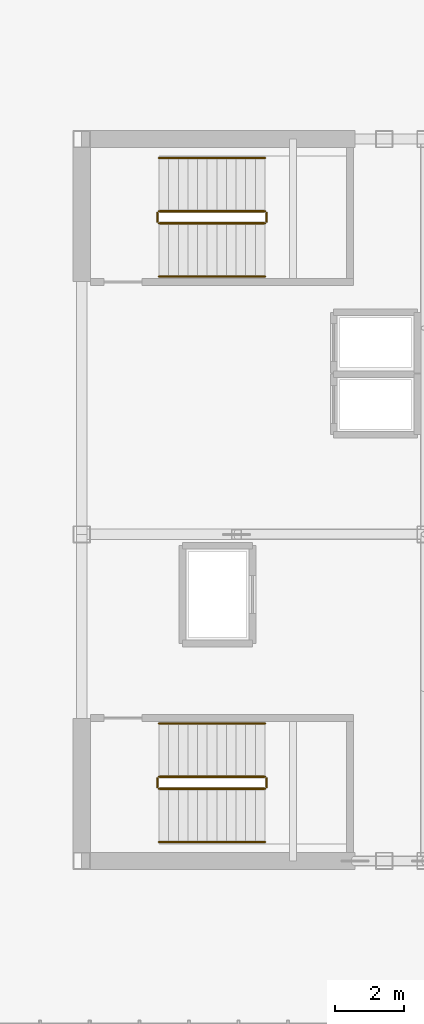
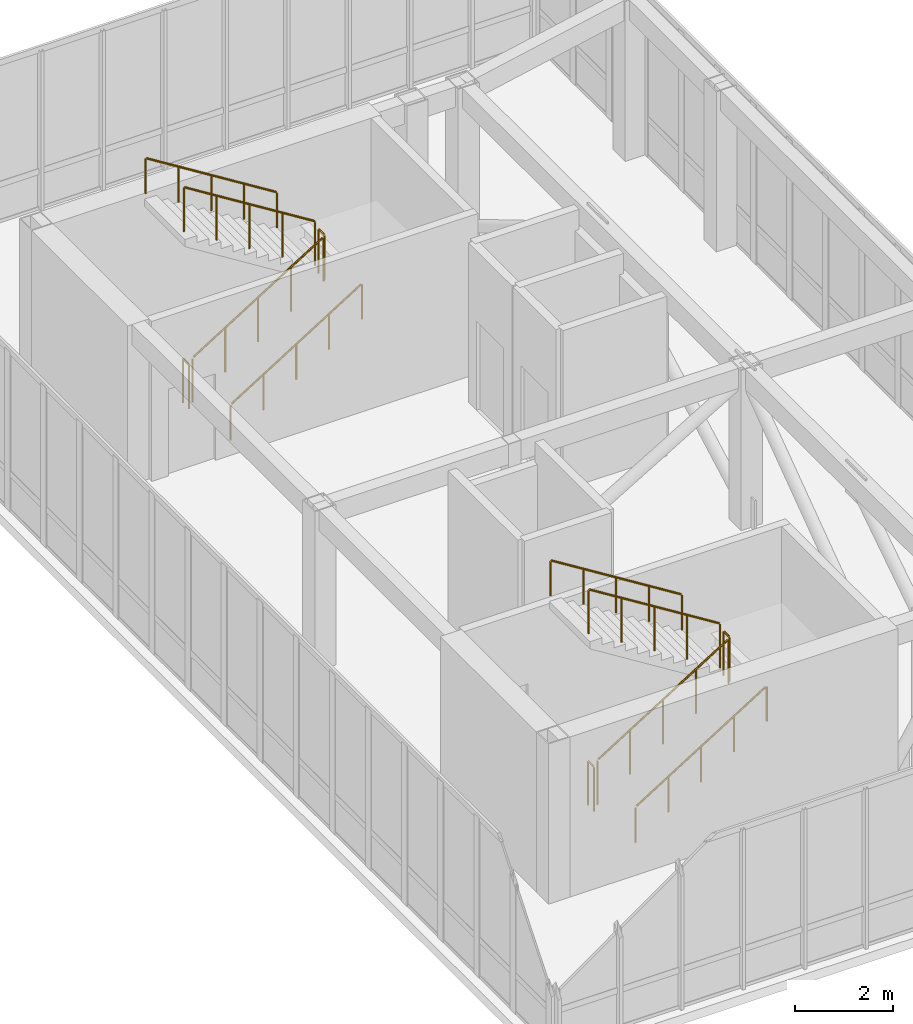
# One storey, part 13 of 13: 12 railings.
"""IFC4 building model written with IfcOpenShell, lengths in metres."""

import ifcopenshell
import ifcopenshell.guid

model = None  # the IFC model being written
_history = None  # IfcOwnerHistory: only IFC2X3 demands one
_inside = {}  # id of a spatial element -> (the spatial element, [elements in it])
_under = {}  # id of a project, library or spatial element -> (it, [spatial elements below it])
_declared = {}  # id of a project -> (the project, [libraries it declares])
_typed = {}  # id of a type object -> (the type object, [elements of that type])
_made_of = {}  # id of a material, layer set ... -> (it, [elements and type objects made of it])


def new_model(schema):
    """Start an empty IFC model of exactly this schema.

    Asked for "IFC4X3", IfcOpenShell would pick the latest addendum, in which some entities
    have other attributes; the version numbers below select the first issue.
    IFC2X3 requires an IfcOwnerHistory on every rooted entity: one is made here for all.
    """
    global model, _history
    if schema == "IFC4X3":
        model = ifcopenshell.file(schema_version=(4, 3, 0, 0))
    else:
        model = ifcopenshell.file(schema=schema)
    _inside.clear()
    _under.clear()
    _declared.clear()
    _typed.clear()
    _made_of.clear()
    _history = None
    if model.schema == "IFC2X3":
        org = make("IfcOrganization", Name="unknown")
        user = make(
            "IfcPersonAndOrganization",
            ThePerson=make("IfcPerson", FamilyName="unknown"),
            TheOrganization=org,
        )
        app = make(
            "IfcApplication",
            ApplicationDeveloper=org,
            Version="unknown",
            ApplicationFullName="unknown",
            ApplicationIdentifier="unknown",
        )
        _history = make(
            "IfcOwnerHistory",
            OwningUser=user,
            OwningApplication=app,
            ChangeAction="ADDED",
            CreationDate=0,
        )
    return model


def make(cls, **values):
    """One entity of the class cls with the attributes given. An attribute that is None is left unset."""
    return model.create_entity(
        cls, **{name: value for name, value in values.items() if value is not None}
    )


def rooted(cls, **values):
    """An entity with a GlobalId (a new one), such as an element, a storey or a relation."""
    return make(cls, GlobalId=ifcopenshell.guid.new(), OwnerHistory=_history, **values)


def si_unit(unit_type, name, prefix=None):
    """IfcSIUnit, for example si_unit("LENGTHUNIT", "METRE", prefix="MILLI")."""
    return make("IfcSIUnit", UnitType=unit_type, Prefix=prefix, Name=name)


def assignment(units):
    """IfcUnitAssignment: the units of a project."""
    return None if units is None else make("IfcUnitAssignment", Units=units)


def point(xyz):
    """IfcCartesianPoint."""
    return None if xyz is None else make("IfcCartesianPoint", Coordinates=xyz)


def direction(xyz):
    """IfcDirection."""
    return None if xyz is None else make("IfcDirection", DirectionRatios=xyz)


def frame(location, z_axis=None, x_axis=None):
    """IfcAxis2Placement3D, a coordinate frame: its origin and axes. An axis left out is left unset."""
    return make(
        "IfcAxis2Placement3D",
        Location=point(location),
        Axis=direction(z_axis),
        RefDirection=direction(x_axis),
    )


def frame_2d(location, x_axis=None):
    """IfcAxis2Placement2D, a coordinate frame in the plane: its origin and x axis."""
    return make(
        "IfcAxis2Placement2D", Location=point(location), RefDirection=direction(x_axis)
    )


def origin():
    """The frame at (0, 0, 0) with its axes left unset."""
    return frame((0.0, 0.0, 0.0))


def origin_2d():
    """The frame at (0, 0) in the plane with its x axis left unset."""
    return frame_2d((0.0, 0.0))


def place(relative_to, where):
    """IfcLocalPlacement: puts the frame where relative to a parent placement (None: the world)."""
    return make(
        "IfcLocalPlacement", PlacementRelTo=relative_to, RelativePlacement=where
    )


def context(
    kind, dimensions, precision=None, world=None, true_north=None, identifier=None
):
    """IfcGeometricRepresentationContext, for example the 3D "Model" context."""
    return make(
        "IfcGeometricRepresentationContext",
        ContextIdentifier=identifier,
        ContextType=kind,
        CoordinateSpaceDimension=dimensions,
        Precision=precision,
        WorldCoordinateSystem=world,
        TrueNorth=true_north,
    )


def subcontext(parent, identifier, kind, view, scale=None):
    """IfcGeometricRepresentationSubContext, for example "Body" below "Model"."""
    return make(
        "IfcGeometricRepresentationSubContext",
        ContextIdentifier=identifier,
        ContextType=kind,
        ParentContext=parent,
        TargetScale=scale,
        TargetView=view,
    )


def project(units=None, contexts=None):
    """IfcProject with its units and contexts."""
    return rooted(
        "IfcProject",
        Name="project",
        RepresentationContexts=contexts,
        UnitsInContext=assignment(units),
    )


def spatial(cls, under=None, at=None, **own):
    """A site, building, storey or space (cls), placed at a placement, below another one or the project."""
    s = rooted(cls, ObjectPlacement=at, **own)
    if under is not None:
        _under.setdefault(under.id(), (under, []))[1].append(s)
    return s


def profile(cls, at=None, kind="AREA", **sizes):
    """A parametric profile (cls). Its sizes go by their IFC names, for example OverallWidth=200.0."""
    return make(cls, ProfileType=kind, Position=at, **sizes)


def circle(**sizes):
    """IfcCircleProfileDef."""
    return profile("IfcCircleProfileDef", **sizes)


def extrude(swept, where, along, depth):
    """IfcExtrudedAreaSolid: the profile swept, set in the frame where, extruded along a direction by depth."""
    return make(
        "IfcExtrudedAreaSolid",
        SweptArea=swept,
        Position=where,
        ExtrudedDirection=direction(along),
        Depth=depth,
    )


def shape(context_of_items, identifier, shape_type, items):
    """IfcShapeRepresentation: the items that make up one representation, for example the "Body"."""
    return make(
        "IfcShapeRepresentation",
        ContextOfItems=context_of_items,
        RepresentationIdentifier=identifier,
        RepresentationType=shape_type,
        Items=items,
    )


def source(mapping_origin, context_of_items, identifier, shape_type, items):
    """IfcRepresentationMap: a shape defined once, which mapped items show again and again."""
    return make(
        "IfcRepresentationMap",
        MappingOrigin=mapping_origin,
        MappedRepresentation=shape(context_of_items, identifier, shape_type, items),
    )


def transform(
    local_origin,
    x_axis=None,
    y_axis=None,
    z_axis=None,
    scale=None,
    scale2=None,
    scale3=None,
    uniform=True,
):
    """IfcCartesianTransformationOperator3D, or its non-uniform kind. x_axis, y_axis, z_axis: its Axis1, 2, 3."""
    if uniform:
        return make(
            "IfcCartesianTransformationOperator3D",
            Axis1=direction(x_axis),
            Axis2=direction(y_axis),
            LocalOrigin=point(local_origin),
            Scale=scale,
            Axis3=direction(z_axis),
        )
    return make(
        "IfcCartesianTransformationOperator3DnonUniform",
        Axis1=direction(x_axis),
        Axis2=direction(y_axis),
        LocalOrigin=point(local_origin),
        Scale=scale,
        Axis3=direction(z_axis),
        Scale2=scale2,
        Scale3=scale3,
    )


def mapped(mapping_source, mapping_target):
    """IfcMappedItem: shows the shape of a source again, moved by a transform."""
    return make(
        "IfcMappedItem", MappingSource=mapping_source, MappingTarget=mapping_target
    )


def material(Name=None, Category=None):
    """IfcMaterial."""
    return make("IfcMaterial", Name=Name, Category=Category)


def layer(
    of_material, thickness, ventilated=None, Name=None, Category=None, Priority=None
):
    """IfcMaterialLayer: one layer of a wall or slab, of a material (None: an air gap)."""
    return make(
        "IfcMaterialLayer",
        Material=of_material,
        LayerThickness=thickness,
        IsVentilated=ventilated,
        Name=Name,
        Category=Category,
        Priority=Priority,
    )


def layer_set(layers, Name=None):
    """IfcMaterialLayerSet."""
    return make("IfcMaterialLayerSet", MaterialLayers=layers, LayerSetName=Name)


def made_of(thing, what):
    """Note that an element or type object is made of a material, layer set ...; save() writes the relation."""
    if what is not None:
        _made_of.setdefault(what.id(), (what, []))[1].append(thing)
    return thing


def type_object(cls, material=None, **own):
    """A type object (cls), such as IfcWallType, which elements share."""
    return made_of(rooted(cls, **own), material)


def element(
    cls,
    number,
    at=None,
    inside=None,
    cuts=None,
    type_object=None,
    material=None,
    context=None,
    identifier="Body",
    shape_type=None,
    held_by="IfcProductDefinitionShape",
    body=None,
    shapes=None,
    **own,
):
    """One element of the class cls, such as IfcWall. Its Tag is "e" and its number.

    at: its placement. inside: the storey or other place that contains it. cuts: it is an
    opening in that element (IfcRelVoidsElement). A single representation is given by context,
    identifier, shape_type and body (its items); several are given by shapes. held_by: the class
    of the entity that holds the representations. save() writes the other relations.
    """
    e = rooted(cls, Tag="e%d" % number, ObjectPlacement=at, **own)
    if body is not None:
        shapes = [shape(context, identifier, shape_type, body)]
    if shapes is not None:
        e.Representation = make(held_by, Representations=shapes)
    if inside is not None:
        _inside.setdefault(inside.id(), (inside, []))[1].append(e)
    if cuts is not None:
        rooted(
            "IfcRelVoidsElement", RelatingBuildingElement=cuts, RelatedOpeningElement=e
        )
    if type_object is not None:
        _typed.setdefault(type_object.id(), (type_object, []))[1].append(e)
    return made_of(e, material)


def aggregate(whole, parts):
    """IfcRelAggregates: a whole, such as a stair, and the parts it consists of."""
    return rooted("IfcRelAggregates", RelatingObject=whole, RelatedObjects=parts)


def save(model, path):
    """Write the relations noted so far, then the file.

    IfcRelAggregates (storeys below a building ...), IfcRelContainedInSpatialStructure (elements
    in a storey), IfcRelDefinesByType, IfcRelAssociatesMaterial and IfcRelDeclares: one each for
    every whole, place, type object, material and project.
    """
    for whole, parts in _under.values():
        aggregate(whole, parts)
    for where, things in _inside.values():
        rooted(
            "IfcRelContainedInSpatialStructure",
            RelatedElements=things,
            RelatingStructure=where,
        )
    for kind, things in _typed.values():
        rooted("IfcRelDefinesByType", RelatedObjects=things, RelatingType=kind)
    for what, things in _made_of.values():
        rooted("IfcRelAssociatesMaterial", RelatedObjects=things, RelatingMaterial=what)
    for by, libraries in _declared.values():
        rooted("IfcRelDeclares", RelatingContext=by, RelatedDefinitions=libraries)
    model.write(path)


model = new_model("IFC4")

# Units and contexts
model_context = context("Model", 3, precision=1e-05, world=origin(), true_north=direction((0.0, 1.0)))
body_context = subcontext(model_context, "Body", "Model", "MODEL_VIEW")
ifc_project = project(units=[si_unit("LENGTHUNIT", "METRE"), si_unit("AREAUNIT", "SQUARE_METRE"), si_unit("VOLUMEUNIT", "CUBIC_METRE"), si_unit("PLANEANGLEUNIT", "RADIAN"), si_unit("MASSUNIT", "GRAM", prefix="KILO")], contexts=[model_context])

# Site, building, storey
site_placement = place(None, origin())
site = spatial("IfcSite", under=ifc_project, at=site_placement, CompositionType="ELEMENT")
building_placement = place(site_placement, origin())
building = spatial("IfcBuilding", under=site, at=building_placement, Name="Kharzan Plaza Tower", CompositionType="ELEMENT")
storey_placement = place(building_placement, frame((0.0, 0.0, 285.60009765625)))
storey = spatial("IfcBuildingStorey", under=building, at=storey_placement, Name="L77-CROWN", CompositionType="ELEMENT", Elevation=285.60009765625)

# Railings
ifc_material_1 = material(Name="Painted Galvanized Architectural Steel", Category="steel")
ifc_layer_1 = layer(ifc_material_1, 0.074951171875)
ifc_layer_set_1 = layer_set([ifc_layer_1], Name="Painted Galvanized Architectural Steel")
railing_type_1 = type_object("IfcRailingType", Name="RL-GUARD-1120", PredefinedType="BALUSTRADE", material=ifc_layer_set_1)
shared_shape_1 = source(origin(), body_context, "Body", "SweptSolid", [
    extrude(circle(Radius=0.02392578125, at=origin_2d()), frame((0.0, 0.0263671875, 1.09619140625), z_axis=(0.0, 1.0, 0.0), x_axis=(-1.0, 0.0, 0.0)), (0.0, 0.0, 1.0), 0.197021484375),
    extrude(circle(Radius=0.02099609375, at=origin_2d()), origin(), (0.0, 0.0, 1.0), 1.072021484375),
    extrude(circle(Radius=0.02099609375, at=origin_2d()), frame((0.0, 0.25, 0.0)), (0.0, 0.0, 1.0), 1.072021484375),
])
for number, where, name in (
    (1, (9.8798828125, 10.64990234375, 2.099853515625), "L77-CROWN ST-1 stair guard 2"),
    (2, (6.699951171875, 10.64990234375, 0.0), "L77-CROWN ST-1 stair guard 4"),
    (3, (9.8798828125, 27.10009765625, 2.099853515625), "L77-CROWN ST-2 stair guard 2"),
    (4, (6.699951171875, 27.10009765625, 0.0), "L77-CROWN ST-2 stair guard 4"),
):
    element("IfcRailing", number, at=place(storey_placement, frame(where)), inside=storey, type_object=railing_type_1, Name=name, PredefinedType="BALUSTRADE", context=body_context, shape_type="MappedRepresentation", body=[
        mapped(shared_shape_1, transform((0.0, 0.0, 0.0), x_axis=(1.0, 0.0, 0.0), y_axis=(0.0, 1.0, 0.0), z_axis=(0.0, 0.0, 1.0))),
    ])
shared_shape_2 = source(origin(), body_context, "Body", "SweptSolid", [
    extrude(circle(Radius=0.02392578125, at=origin_2d()), frame((0.0224609375, 0.0, 1.110107421875), z_axis=(0.847998304005, 0.0, 0.529998940003), x_axis=(0.0, 1.0, 0.0)), (0.0, 0.0, 1.0), 3.579345703125),
    extrude(circle(Radius=0.02099609375, at=origin_2d()), origin(), (0.0, 0.0, 1.0), 1.072021484375),
    extrude(circle(Radius=0.02099609375, at=origin_2d()), frame((0.77001953125, 0.0, 0.481201171875)), (0.0, 0.0, 1.0), 1.072021484375),
    extrude(circle(Radius=0.02099609375, at=origin_2d()), frame((1.5400390625, 0.0, 0.96240234375)), (0.0, 0.0, 1.0), 1.072021484375),
    extrude(circle(Radius=0.02099609375, at=origin_2d()), frame((2.31005859375, 0.0, 1.44384765625)), (0.0, 0.0, 1.0), 1.072021484375),
    extrude(circle(Radius=0.02099609375, at=origin_2d()), frame((3.080078125, 0.0, 1.925048828125)), (0.0, 0.0, 1.0), 1.072021484375),
])
for number, where, name in (
    (5, (6.75, 10.60009765625, 0.1748046875), "L77-CROWN ST-1 stair guard 1"),
    (6, (6.75, 27.050048828125, 0.1748046875), "L77-CROWN ST-2 stair guard 1"),
):
    element("IfcRailing", number, at=place(storey_placement, frame(where)), inside=storey, type_object=railing_type_1, Name=name, PredefinedType="BALUSTRADE", context=body_context, shape_type="MappedRepresentation", body=[
        mapped(shared_shape_2, transform((0.0, 0.0, 0.0), x_axis=(1.0, 0.0, 0.0), y_axis=(0.0, 1.0, 0.0), z_axis=(0.0, 0.0, 1.0))),
    ])
ifc_material_2 = material(Name="Brushed Stainless Steel", Category="steel")
ifc_layer_2 = layer(ifc_material_2, 0.050048828125)
ifc_layer_set_2 = layer_set([ifc_layer_2], Name="Brushed Stainless Steel")
railing_type_2 = type_object("IfcRailingType", Name="RL-STAIR-HR920", PredefinedType="HANDRAIL", material=ifc_layer_set_2)
shared_shape_3 = source(origin(), body_context, "Body", "SweptSolid", [
    extrude(circle(Radius=0.02392578125, at=origin_2d()), frame((0.0224609375, 0.0, 0.889892578125), z_axis=(0.847998304005, 0.0, 0.529998940003), x_axis=(0.0, 1.0, 0.0)), (0.0, 0.0, 1.0), 3.579345703125),
    extrude(circle(Radius=0.02099609375, at=origin_2d()), origin(), (0.0, 0.0, 1.0), 0.851806640625),
    extrude(circle(Radius=0.02099609375, at=origin_2d()), frame((0.77001953125, 0.0, 0.481201171875)), (0.0, 0.0, 1.0), 0.851806640625),
    extrude(circle(Radius=0.02099609375, at=origin_2d()), frame((1.5400390625, 0.0, 0.96240234375)), (0.0, 0.0, 1.0), 0.851806640625),
    extrude(circle(Radius=0.02099609375, at=origin_2d()), frame((2.31005859375, 0.0, 1.44384765625)), (0.0, 0.0, 1.0), 0.851806640625),
    extrude(circle(Radius=0.02099609375, at=origin_2d()), frame((3.080078125, 0.0, 1.925048828125)), (0.0, 0.0, 1.0), 0.851806640625),
])
for number, where, name in (
    (7, (6.75, 9.050048828125, 0.1748046875), "L77-CROWN ST-1 stair handrail 1"),
    (8, (6.75, 25.5, 0.1748046875), "L77-CROWN ST-2 stair handrail 1"),
):
    element("IfcRailing", number, at=place(storey_placement, frame(where)), inside=storey, type_object=railing_type_2, Name=name, PredefinedType="HANDRAIL", context=body_context, shape_type="MappedRepresentation", body=[
        mapped(shared_shape_3, transform((0.0, 0.0, 0.0), x_axis=(1.0, 0.0, 0.0), y_axis=(0.0, 1.0, 0.0), z_axis=(0.0, 0.0, 1.0))),
    ])
shared_shape_4 = source(origin(), body_context, "Body", "SweptSolid", [
    extrude(circle(Radius=0.02392578125, at=origin_2d()), frame((-0.0224609375, 0.0, 1.110107421875), z_axis=(-0.847998304005, 0.0, 0.529998940003), x_axis=(0.0, -1.0, 0.0)), (0.0, 0.0, 1.0), 3.579345703125),
    extrude(circle(Radius=0.02099609375, at=origin_2d()), origin(), (0.0, 0.0, 1.0), 1.072021484375),
    extrude(circle(Radius=0.02099609375, at=origin_2d()), frame((-0.77001953125, 0.0, 0.481201171875)), (0.0, 0.0, 1.0), 1.072021484375),
    extrude(circle(Radius=0.02099609375, at=origin_2d()), frame((-1.5400390625, 0.0, 0.96240234375)), (0.0, 0.0, 1.0), 1.072021484375),
    extrude(circle(Radius=0.02099609375, at=origin_2d()), frame((-2.31005859375, 0.0, 1.44384765625)), (0.0, 0.0, 1.0), 1.072021484375),
    extrude(circle(Radius=0.02099609375, at=origin_2d()), frame((-3.080078125, 0.0, 1.925048828125)), (0.0, 0.0, 1.0), 1.072021484375),
])
for number, where, name in (
    (9, (9.830078125, 10.949951171875, 2.27490234375), "L77-CROWN ST-1 stair guard 3"),
    (10, (9.830078125, 27.39990234375, 2.27490234375), "L77-CROWN ST-2 stair guard 3"),
):
    element("IfcRailing", number, at=place(storey_placement, frame(where)), inside=storey, type_object=railing_type_1, Name=name, PredefinedType="BALUSTRADE", context=body_context, shape_type="MappedRepresentation", body=[
        mapped(shared_shape_4, transform((0.0, 0.0, 0.0), x_axis=(1.0, 0.0, 0.0), y_axis=(0.0, 1.0, 0.0), z_axis=(0.0, 0.0, 1.0))),
    ])
shared_shape_5 = source(origin(), body_context, "Body", "SweptSolid", [
    extrude(circle(Radius=0.02392578125, at=origin_2d()), frame((-0.0224609375, 0.0, 0.889892578125), z_axis=(-0.847998304005, 0.0, 0.529998940003), x_axis=(0.0, -1.0, 0.0)), (0.0, 0.0, 1.0), 3.579345703125),
    extrude(circle(Radius=0.02099609375, at=origin_2d()), origin(), (0.0, 0.0, 1.0), 0.851806640625),
    extrude(circle(Radius=0.02099609375, at=origin_2d()), frame((-0.77001953125, 0.0, 0.481201171875)), (0.0, 0.0, 1.0), 0.851806640625),
    extrude(circle(Radius=0.02099609375, at=origin_2d()), frame((-1.5400390625, 0.0, 0.96240234375)), (0.0, 0.0, 1.0), 0.851806640625),
    extrude(circle(Radius=0.02099609375, at=origin_2d()), frame((-2.31005859375, 0.0, 1.44384765625)), (0.0, 0.0, 1.0), 0.851806640625),
    extrude(circle(Radius=0.02099609375, at=origin_2d()), frame((-3.080078125, 0.0, 1.925048828125)), (0.0, 0.0, 1.0), 0.851806640625),
])
for number, where, name in (
    (11, (9.830078125, 12.5, 2.27490234375), "L77-CROWN ST-1 stair handrail 2"),
    (12, (9.830078125, 28.949951171875, 2.27490234375), "L77-CROWN ST-2 stair handrail 2"),
):
    element("IfcRailing", number, at=place(storey_placement, frame(where)), inside=storey, type_object=railing_type_2, Name=name, PredefinedType="HANDRAIL", context=body_context, shape_type="MappedRepresentation", body=[
        mapped(shared_shape_5, transform((0.0, 0.0, 0.0), x_axis=(1.0, 0.0, 0.0), y_axis=(0.0, 1.0, 0.0), z_axis=(0.0, 0.0, 1.0))),
    ])

save(model, "model.ifc")
